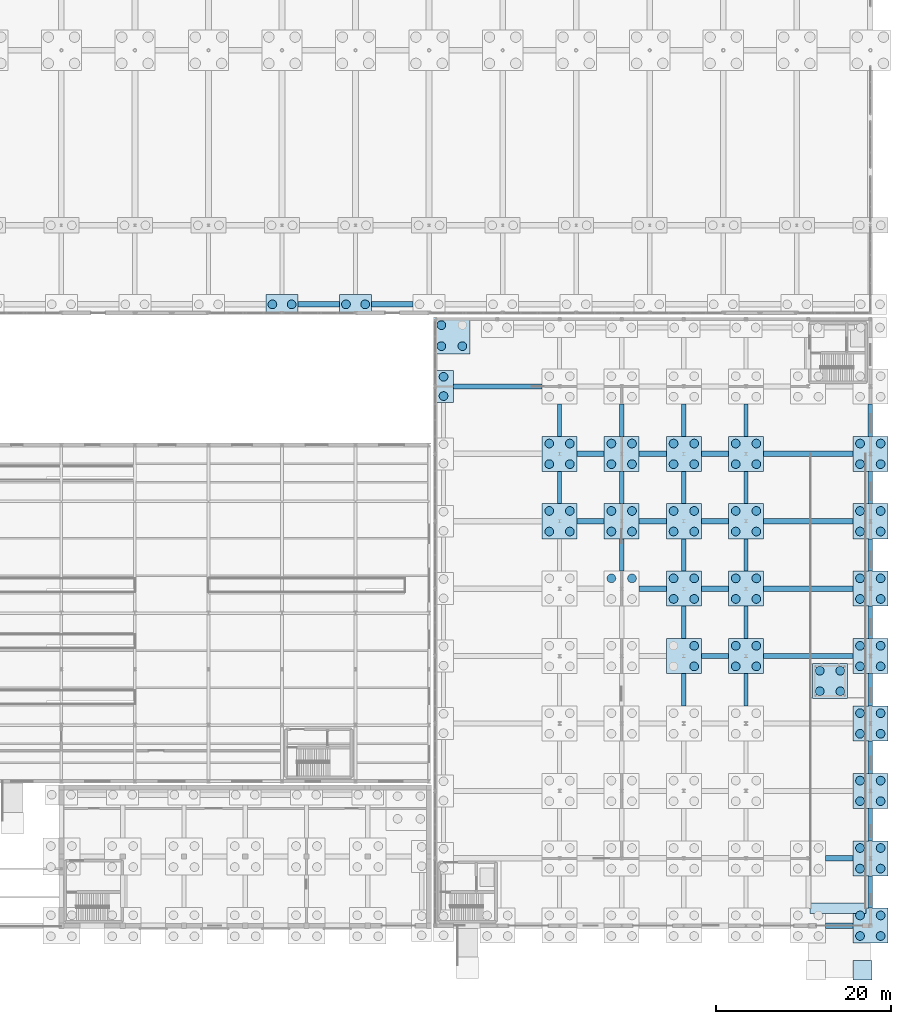
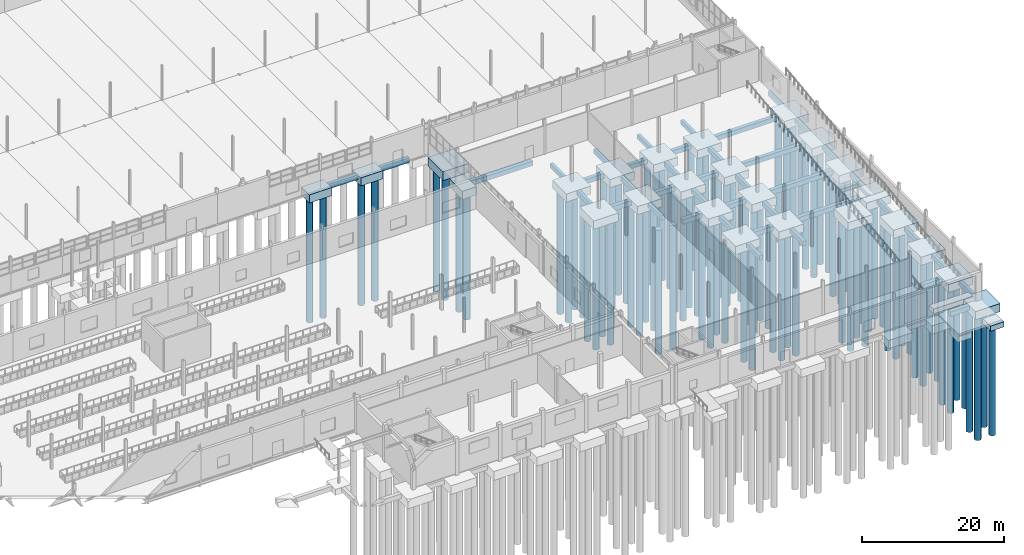
# One storey, part 8 of 139: 93 piles, 68 footings.
"""IFC4 building model written with IfcOpenShell, lengths in metres."""

from ifc_helpers import new_model, si_unit, direction, frame, origin, origin_2d, place, context, subcontext, project, spatial, polyline, rectangle, circle, outline, extrude, material, material_profile, profile_set, type_object, element, save


model = new_model("IFC4")

# Units and contexts
model_context = context("Model", 3, precision=1e-05, world=origin(), true_north=direction((0.0, 1.0)))
body_context = subcontext(model_context, "Body", "Model", "MODEL_VIEW")
ifc_project = project(units=[si_unit("LENGTHUNIT", "METRE"), si_unit("AREAUNIT", "SQUARE_METRE"), si_unit("VOLUMEUNIT", "CUBIC_METRE"), si_unit("PLANEANGLEUNIT", "RADIAN"), si_unit("MASSUNIT", "GRAM", prefix="KILO")], contexts=[model_context])

# Site, building, storey
site_placement = place(None, origin())
site = spatial("IfcSite", under=ifc_project, at=site_placement, CompositionType="ELEMENT")
building_placement = place(site_placement, origin())
building = spatial("IfcBuilding", under=site, at=building_placement, Name="Kazenagashi Tramway Depot", CompositionType="ELEMENT")
storey_placement = place(building_placement, origin())
storey = spatial("IfcBuildingStorey", under=building, at=storey_placement, Name="L01", CompositionType="ELEMENT", Elevation=0.0)

# Piles
ifc_material = material(Name="Concrete Fc30", Category="concrete")
ifc_material_profile = material_profile(ifc_material, circle(Radius=0.5, at=origin_2d()), Name="PILE-1000")
ifc_profile_set = profile_set([ifc_material_profile], Name="Concrete Fc30")
pile_type = type_object("IfcPileType", Name="BP-01", PredefinedType="BORED", material=ifc_profile_set)
for number, where, z_axis, x_axis, name in (
    (1, (127.7, 70.975, -1.65), (0.0, 0.0, -1.0), (1.0, 0.0, 0.0), "Bored Pile BP-01 PILE-0081"),
    (2, (129.9, 70.975, -1.65), (0.0, 0.0, -1.0), (1.0, 0.0, 0.0), "Bored Pile BP-01 PILE-0082"),
    (3, (136.1, 70.975, -1.65), (0.0, 0.0, -1.0), (1.0, 0.0, 0.0), "Bored Pile BP-01 PILE-0089"),
    (4, (138.3, 70.975, -1.65), (0.0, 0.0, -1.0), (1.0, 0.0, 0.0), "Bored Pile BP-01 PILE-0090"),
    (5, (147.25, 60.5, -1.65), (0.0, 0.0, -1.0), (1.0, 0.0, 0.0), "Bored Pile BP-01 PILE-0495"),
    (6, (147.25, 62.7, -1.65), (0.0, 0.0, -1.0), (1.0, 0.0, 0.0), "Bored Pile BP-01 PILE-0496"),
):
    element("IfcPile", number, at=place(storey_placement, frame(where, z_axis=z_axis, x_axis=x_axis)), inside=storey, type_object=pile_type, Name=name, PredefinedType="BORED", context=body_context, shape_type="SweptSolid", body=[
        extrude(circle(Radius=0.5, at=origin_2d()), origin(), (0.0, 0.0, 1.0), 21.35),
    ])
for number, where, z_axis, x_axis, name in (
    (7, (147.0, 66.2, -1.75), (0.0, 0.0, -1.0), (1.0, 0.0, 0.0), "Bored Pile BP-01 PILE-0497"),
    (8, (149.4, 66.2, -1.75), (0.0, 0.0, -1.0), (1.0, 0.0, 0.0), "Bored Pile BP-01 PILE-0498"),
    (9, (147.0, 68.6, -1.75), (0.0, 0.0, -1.0), (1.0, 0.0, 0.0), "Bored Pile BP-01 PILE-0499"),
):
    element("IfcPile", number, at=place(storey_placement, frame(where, z_axis=z_axis, x_axis=x_axis)), inside=storey, type_object=pile_type, Name=name, PredefinedType="BORED", context=body_context, shape_type="SweptSolid", body=[
        extrude(circle(Radius=0.5, at=origin_2d()), origin(), (0.0, 0.0, 1.0), 21.25),
    ])
for number, where, z_axis, x_axis, name in (
    (10, (159.325, 45.025, -1.65), (0.0, 0.0, -1.0), (1.0, 0.0, 0.0), "Bored Pile BP-01 PILE-0531"),
    (11, (161.675, 45.025, -1.65), (0.0, 0.0, -1.0), (1.0, 0.0, 0.0), "Bored Pile BP-01 PILE-0532"),
    (12, (159.325, 47.375, -1.65), (0.0, 0.0, -1.0), (1.0, 0.0, 0.0), "Bored Pile BP-01 PILE-0533"),
    (13, (161.675, 47.375, -1.65), (0.0, 0.0, -1.0), (1.0, 0.0, 0.0), "Bored Pile BP-01 PILE-0534"),
    (14, (159.325, 52.725, -1.65), (0.0, 0.0, -1.0), (1.0, 0.0, 0.0), "Bored Pile BP-01 PILE-0535"),
    (15, (161.675, 52.725, -1.65), (0.0, 0.0, -1.0), (1.0, 0.0, 0.0), "Bored Pile BP-01 PILE-0536"),
    (16, (159.325, 55.075, -1.65), (0.0, 0.0, -1.0), (1.0, 0.0, 0.0), "Bored Pile BP-01 PILE-0537"),
    (17, (161.675, 55.075, -1.65), (0.0, 0.0, -1.0), (1.0, 0.0, 0.0), "Bored Pile BP-01 PILE-0538"),
    (18, (166.425, 39.675, -1.65), (0.0, 0.0, -1.0), (1.0, 0.0, 0.0), "Bored Pile BP-01 PILE-0567"),
    (19, (168.775, 39.675, -1.65), (0.0, 0.0, -1.0), (1.0, 0.0, 0.0), "Bored Pile BP-01 PILE-0568"),
    (20, (166.425, 45.025, -1.65), (0.0, 0.0, -1.0), (1.0, 0.0, 0.0), "Bored Pile BP-01 PILE-0569"),
    (21, (168.775, 45.025, -1.65), (0.0, 0.0, -1.0), (1.0, 0.0, 0.0), "Bored Pile BP-01 PILE-0570"),
    (22, (166.425, 47.375, -1.65), (0.0, 0.0, -1.0), (1.0, 0.0, 0.0), "Bored Pile BP-01 PILE-0571"),
    (23, (168.775, 47.375, -1.65), (0.0, 0.0, -1.0), (1.0, 0.0, 0.0), "Bored Pile BP-01 PILE-0572"),
    (24, (166.425, 52.725, -1.65), (0.0, 0.0, -1.0), (1.0, 0.0, 0.0), "Bored Pile BP-01 PILE-0573"),
    (25, (168.775, 52.725, -1.65), (0.0, 0.0, -1.0), (1.0, 0.0, 0.0), "Bored Pile BP-01 PILE-0574"),
    (26, (166.425, 55.075, -1.65), (0.0, 0.0, -1.0), (1.0, 0.0, 0.0), "Bored Pile BP-01 PILE-0575"),
    (27, (168.775, 55.075, -1.65), (0.0, 0.0, -1.0), (1.0, 0.0, 0.0), "Bored Pile BP-01 PILE-0576"),
    (28, (175.875, 29.625, -1.65), (0.0, 0.0, -1.0), (1.0, 0.0, 0.0), "Bored Pile BP-01 PILE-0600"),
    (29, (175.875, 31.975, -1.65), (0.0, 0.0, -1.0), (1.0, 0.0, 0.0), "Bored Pile BP-01 PILE-0602"),
    (30, (173.525, 37.325, -1.65), (0.0, 0.0, -1.0), (1.0, 0.0, 0.0), "Bored Pile BP-01 PILE-0603"),
    (31, (175.875, 37.325, -1.65), (0.0, 0.0, -1.0), (1.0, 0.0, 0.0), "Bored Pile BP-01 PILE-0604"),
    (32, (173.525, 39.675, -1.65), (0.0, 0.0, -1.0), (1.0, 0.0, 0.0), "Bored Pile BP-01 PILE-0605"),
    (33, (175.875, 39.675, -1.65), (0.0, 0.0, -1.0), (1.0, 0.0, 0.0), "Bored Pile BP-01 PILE-0606"),
    (34, (173.525, 45.025, -1.65), (0.0, 0.0, -1.0), (1.0, 0.0, 0.0), "Bored Pile BP-01 PILE-0607"),
    (35, (175.875, 45.025, -1.65), (0.0, 0.0, -1.0), (1.0, 0.0, 0.0), "Bored Pile BP-01 PILE-0608"),
    (36, (173.525, 47.375, -1.65), (0.0, 0.0, -1.0), (1.0, 0.0, 0.0), "Bored Pile BP-01 PILE-0609"),
    (37, (175.875, 47.375, -1.65), (0.0, 0.0, -1.0), (1.0, 0.0, 0.0), "Bored Pile BP-01 PILE-0610"),
    (38, (173.525, 52.725, -1.65), (0.0, 0.0, -1.0), (1.0, 0.0, 0.0), "Bored Pile BP-01 PILE-0611"),
    (39, (175.875, 52.725, -1.65), (0.0, 0.0, -1.0), (1.0, 0.0, 0.0), "Bored Pile BP-01 PILE-0612"),
    (40, (173.525, 55.075, -1.65), (0.0, 0.0, -1.0), (1.0, 0.0, 0.0), "Bored Pile BP-01 PILE-0613"),
    (41, (175.875, 55.075, -1.65), (0.0, 0.0, -1.0), (1.0, 0.0, 0.0), "Bored Pile BP-01 PILE-0614"),
    (42, (180.625, 29.625, -1.65), (0.0, 0.0, -1.0), (1.0, 0.0, 0.0), "Bored Pile BP-01 PILE-0637"),
    (43, (182.975, 29.625, -1.65), (0.0, 0.0, -1.0), (1.0, 0.0, 0.0), "Bored Pile BP-01 PILE-0638"),
    (44, (180.625, 31.975, -1.65), (0.0, 0.0, -1.0), (1.0, 0.0, 0.0), "Bored Pile BP-01 PILE-0639"),
    (45, (182.975, 31.975, -1.65), (0.0, 0.0, -1.0), (1.0, 0.0, 0.0), "Bored Pile BP-01 PILE-0640"),
    (46, (180.625, 37.325, -1.65), (0.0, 0.0, -1.0), (1.0, 0.0, 0.0), "Bored Pile BP-01 PILE-0641"),
    (47, (182.975, 37.325, -1.65), (0.0, 0.0, -1.0), (1.0, 0.0, 0.0), "Bored Pile BP-01 PILE-0642"),
    (48, (180.625, 39.675, -1.65), (0.0, 0.0, -1.0), (1.0, 0.0, 0.0), "Bored Pile BP-01 PILE-0643"),
    (49, (182.975, 39.675, -1.65), (0.0, 0.0, -1.0), (1.0, 0.0, 0.0), "Bored Pile BP-01 PILE-0644"),
    (50, (180.625, 45.025, -1.65), (0.0, 0.0, -1.0), (1.0, 0.0, 0.0), "Bored Pile BP-01 PILE-0645"),
    (51, (182.975, 45.025, -1.65), (0.0, 0.0, -1.0), (1.0, 0.0, 0.0), "Bored Pile BP-01 PILE-0646"),
    (52, (180.625, 47.375, -1.65), (0.0, 0.0, -1.0), (1.0, 0.0, 0.0), "Bored Pile BP-01 PILE-0647"),
    (53, (182.975, 47.375, -1.65), (0.0, 0.0, -1.0), (1.0, 0.0, 0.0), "Bored Pile BP-01 PILE-0648"),
    (54, (180.625, 52.725, -1.65), (0.0, 0.0, -1.0), (1.0, 0.0, 0.0), "Bored Pile BP-01 PILE-0649"),
    (55, (182.975, 52.725, -1.65), (0.0, 0.0, -1.0), (1.0, 0.0, 0.0), "Bored Pile BP-01 PILE-0650"),
    (56, (180.625, 55.075, -1.65), (0.0, 0.0, -1.0), (1.0, 0.0, 0.0), "Bored Pile BP-01 PILE-0651"),
    (57, (182.975, 55.075, -1.65), (0.0, 0.0, -1.0), (1.0, 0.0, 0.0), "Bored Pile BP-01 PILE-0652"),
    (58, (194.825, -1.175, -1.65), (0.0, 0.0, -1.0), (1.0, 0.0, 0.0), "Bored Pile BP-01 PILE-0673"),
    (59, (197.175, -1.175, -1.65), (0.0, 0.0, -1.0), (1.0, 0.0, 0.0), "Bored Pile BP-01 PILE-0674"),
    (60, (194.825, 1.175, -1.65), (0.0, 0.0, -1.0), (1.0, 0.0, 0.0), "Bored Pile BP-01 PILE-0675"),
    (61, (197.175, 1.175, -1.65), (0.0, 0.0, -1.0), (1.0, 0.0, 0.0), "Bored Pile BP-01 PILE-0676"),
    (62, (194.825, 6.525, -1.65), (0.0, 0.0, -1.0), (1.0, 0.0, 0.0), "Bored Pile BP-01 PILE-0677"),
    (63, (197.175, 6.525, -1.65), (0.0, 0.0, -1.0), (1.0, 0.0, 0.0), "Bored Pile BP-01 PILE-0678"),
    (64, (194.825, 8.875, -1.65), (0.0, 0.0, -1.0), (1.0, 0.0, 0.0), "Bored Pile BP-01 PILE-0679"),
    (65, (197.175, 8.875, -1.65), (0.0, 0.0, -1.0), (1.0, 0.0, 0.0), "Bored Pile BP-01 PILE-0680"),
    (66, (194.825, 14.225, -1.65), (0.0, 0.0, -1.0), (1.0, 0.0, 0.0), "Bored Pile BP-01 PILE-0681"),
    (67, (197.175, 14.225, -1.65), (0.0, 0.0, -1.0), (1.0, 0.0, 0.0), "Bored Pile BP-01 PILE-0682"),
    (68, (194.825, 16.575, -1.65), (0.0, 0.0, -1.0), (1.0, 0.0, 0.0), "Bored Pile BP-01 PILE-0683"),
    (69, (197.175, 16.575, -1.65), (0.0, 0.0, -1.0), (1.0, 0.0, 0.0), "Bored Pile BP-01 PILE-0684"),
    (70, (194.825, 21.925, -1.65), (0.0, 0.0, -1.0), (1.0, 0.0, 0.0), "Bored Pile BP-01 PILE-0685"),
    (71, (197.175, 21.925, -1.65), (0.0, 0.0, -1.0), (1.0, 0.0, 0.0), "Bored Pile BP-01 PILE-0686"),
    (72, (194.825, 24.275, -1.65), (0.0, 0.0, -1.0), (1.0, 0.0, 0.0), "Bored Pile BP-01 PILE-0687"),
    (73, (197.175, 24.275, -1.65), (0.0, 0.0, -1.0), (1.0, 0.0, 0.0), "Bored Pile BP-01 PILE-0688"),
    (74, (194.825, 29.625, -1.65), (0.0, 0.0, -1.0), (1.0, 0.0, 0.0), "Bored Pile BP-01 PILE-0689"),
    (75, (197.175, 29.625, -1.65), (0.0, 0.0, -1.0), (1.0, 0.0, 0.0), "Bored Pile BP-01 PILE-0690"),
    (76, (194.825, 31.975, -1.65), (0.0, 0.0, -1.0), (1.0, 0.0, 0.0), "Bored Pile BP-01 PILE-0691"),
    (77, (197.175, 31.975, -1.65), (0.0, 0.0, -1.0), (1.0, 0.0, 0.0), "Bored Pile BP-01 PILE-0692"),
    (78, (194.825, 37.325, -1.65), (0.0, 0.0, -1.0), (1.0, 0.0, 0.0), "Bored Pile BP-01 PILE-0693"),
    (79, (197.175, 37.325, -1.65), (0.0, 0.0, -1.0), (1.0, 0.0, 0.0), "Bored Pile BP-01 PILE-0694"),
    (80, (194.825, 39.675, -1.65), (0.0, 0.0, -1.0), (1.0, 0.0, 0.0), "Bored Pile BP-01 PILE-0695"),
    (81, (197.175, 39.675, -1.65), (0.0, 0.0, -1.0), (1.0, 0.0, 0.0), "Bored Pile BP-01 PILE-0696"),
    (82, (194.825, 45.025, -1.65), (0.0, 0.0, -1.0), (1.0, 0.0, 0.0), "Bored Pile BP-01 PILE-0697"),
    (83, (197.175, 45.025, -1.65), (0.0, 0.0, -1.0), (1.0, 0.0, 0.0), "Bored Pile BP-01 PILE-0698"),
    (84, (194.825, 47.375, -1.65), (0.0, 0.0, -1.0), (1.0, 0.0, 0.0), "Bored Pile BP-01 PILE-0699"),
    (85, (197.175, 47.375, -1.65), (0.0, 0.0, -1.0), (1.0, 0.0, 0.0), "Bored Pile BP-01 PILE-0700"),
    (86, (194.825, 52.725, -1.65), (0.0, 0.0, -1.0), (1.0, 0.0, 0.0), "Bored Pile BP-01 PILE-0701"),
    (87, (197.175, 52.725, -1.65), (0.0, 0.0, -1.0), (1.0, 0.0, 0.0), "Bored Pile BP-01 PILE-0702"),
    (88, (194.825, 55.075, -1.65), (0.0, 0.0, -1.0), (1.0, 0.0, 0.0), "Bored Pile BP-01 PILE-0703"),
    (89, (197.175, 55.075, -1.65), (0.0, 0.0, -1.0), (1.0, 0.0, 0.0), "Bored Pile BP-01 PILE-0704"),
    (90, (190.225, 26.775, -1.65), (0.0, 0.0, -1.0), (1.0, 0.0, 0.0), "Bored Pile BP-01 PILE-1051"),
    (91, (192.575, 26.775, -1.65), (0.0, 0.0, -1.0), (1.0, 0.0, 0.0), "Bored Pile BP-01 PILE-1052"),
    (92, (190.225, 29.125, -1.65), (0.0, 0.0, -1.0), (1.0, 0.0, 0.0), "Bored Pile BP-01 PILE-1053"),
    (93, (192.575, 29.125, -1.65), (0.0, 0.0, -1.0), (1.0, 0.0, 0.0), "Bored Pile BP-01 PILE-1054"),
):
    element("IfcPile", number, at=place(storey_placement, frame(where, z_axis=z_axis, x_axis=x_axis)), inside=storey, type_object=pile_type, Name=name, PredefinedType="BORED", context=body_context, shape_type="SweptSolid", body=[
        extrude(circle(Radius=0.5, at=origin_2d()), origin(), (0.0, 0.0, 1.0), 21.35),
    ])

# Footings
footing_type_1 = type_object("IfcFootingType", Name="FB-01", PredefinedType="FOOTING_BEAM", material=ifc_material)
footing_1_placement = place(storey_placement, frame((0.0, 0.0, -1.15)))
element("IfcFooting", 94, at=footing_1_placement, inside=storey, type_object=footing_type_1, Name="Footing Tie Beam FB-0026", PredefinedType="FOOTING_BEAM", context=body_context, shape_type="SweptSolid", body=[
    extrude(outline(polyline([(190.9, -0.3), (194.0, -0.3), (194.0, 0.3), (190.9, 0.3), (190.9, -0.3)])), origin(), (0.0, 0.0, 1.0), 0.8),
])
footing_2_placement = place(storey_placement, frame((0.0, 0.0, -1.15)))
element("IfcFooting", 95, at=footing_2_placement, inside=storey, type_object=footing_type_1, Name="Footing Tie Beam FB-0042", PredefinedType="FOOTING_BEAM", context=body_context, shape_type="SweptSolid", body=[
    extrude(outline(polyline([(190.9, 7.4), (194.0, 7.4), (194.0, 8.0), (190.9, 8.0), (190.9, 7.4)])), origin(), (0.0, 0.0, 1.0), 0.8),
])
footing_3_placement = place(storey_placement, frame((0.0, 0.0, -1.15)))
element("IfcFooting", 96, at=footing_3_placement, inside=storey, type_object=footing_type_1, Name="Footing Tie Beam FB-0081", PredefinedType="FOOTING_BEAM", context=body_context, shape_type="SweptSolid", body=[
    extrude(outline(polyline([(176.7, 30.5), (179.8, 30.5), (179.8, 31.1), (176.7, 31.1), (176.7, 30.5)])), origin(), (0.0, 0.0, 1.0), 0.8),
])
footing_4_placement = place(storey_placement, frame((0.0, 0.0, -1.15)))
element("IfcFooting", 97, at=footing_4_placement, inside=storey, type_object=footing_type_1, Name="Footing Tie Beam FB-0082", PredefinedType="FOOTING_BEAM", context=body_context, shape_type="SweptSolid", body=[
    extrude(outline(polyline([(183.8, 30.5), (194.0, 30.5), (194.0, 31.1), (183.8, 31.1), (183.8, 30.5)])), origin(), (0.0, 0.0, 1.0), 0.8),
])
footing_5_placement = place(storey_placement, frame((0.0, 0.0, -1.15)))
element("IfcFooting", 98, at=footing_5_placement, inside=storey, type_object=footing_type_1, Name="Footing Tie Beam FB-0091", PredefinedType="FOOTING_BEAM", context=body_context, shape_type="SweptSolid", body=[
    extrude(outline(polyline([(169.6, 38.2), (172.7, 38.2), (172.7, 38.8), (169.6, 38.8), (169.6, 38.2)])), origin(), (0.0, 0.0, 1.0), 0.8),
])
footing_6_placement = place(storey_placement, frame((0.0, 0.0, -1.15)))
element("IfcFooting", 99, at=footing_6_placement, inside=storey, type_object=footing_type_1, Name="Footing Tie Beam FB-0092", PredefinedType="FOOTING_BEAM", context=body_context, shape_type="SweptSolid", body=[
    extrude(outline(polyline([(176.7, 38.2), (179.8, 38.2), (179.8, 38.8), (176.7, 38.8), (176.7, 38.2)])), origin(), (0.0, 0.0, 1.0), 0.8),
])
footing_7_placement = place(storey_placement, frame((0.0, 0.0, -1.15)))
element("IfcFooting", 100, at=footing_7_placement, inside=storey, type_object=footing_type_1, Name="Footing Tie Beam FB-0093", PredefinedType="FOOTING_BEAM", context=body_context, shape_type="SweptSolid", body=[
    extrude(outline(polyline([(183.8, 38.2), (194.0, 38.2), (194.0, 38.8), (183.8, 38.8), (183.8, 38.2)])), origin(), (0.0, 0.0, 1.0), 0.8),
])
footing_8_placement = place(storey_placement, frame((0.0, 0.0, -1.15)))
element("IfcFooting", 101, at=footing_8_placement, inside=storey, type_object=footing_type_1, Name="Footing Tie Beam FB-0101", PredefinedType="FOOTING_BEAM", context=body_context, shape_type="SweptSolid", body=[
    extrude(outline(polyline([(162.5, 45.9), (165.6, 45.9), (165.6, 46.5), (162.5, 46.5), (162.5, 45.9)])), origin(), (0.0, 0.0, 1.0), 0.8),
])
footing_9_placement = place(storey_placement, frame((0.0, 0.0, -1.15)))
element("IfcFooting", 102, at=footing_9_placement, inside=storey, type_object=footing_type_1, Name="Footing Tie Beam FB-0102", PredefinedType="FOOTING_BEAM", context=body_context, shape_type="SweptSolid", body=[
    extrude(outline(polyline([(169.6, 45.9), (172.7, 45.9), (172.7, 46.5), (169.6, 46.5), (169.6, 45.9)])), origin(), (0.0, 0.0, 1.0), 0.8),
])
footing_10_placement = place(storey_placement, frame((0.0, 0.0, -1.15)))
element("IfcFooting", 103, at=footing_10_placement, inside=storey, type_object=footing_type_1, Name="Footing Tie Beam FB-0103", PredefinedType="FOOTING_BEAM", context=body_context, shape_type="SweptSolid", body=[
    extrude(outline(polyline([(176.7, 45.9), (179.8, 45.9), (179.8, 46.5), (176.7, 46.5), (176.7, 45.9)])), origin(), (0.0, 0.0, 1.0), 0.8),
])
footing_11_placement = place(storey_placement, frame((0.0, 0.0, -1.15)))
element("IfcFooting", 104, at=footing_11_placement, inside=storey, type_object=footing_type_1, Name="Footing Tie Beam FB-0104", PredefinedType="FOOTING_BEAM", context=body_context, shape_type="SweptSolid", body=[
    extrude(outline(polyline([(183.8, 45.9), (194.0, 45.9), (194.0, 46.5), (183.8, 46.5), (183.8, 45.9)])), origin(), (0.0, 0.0, 1.0), 0.8),
])
footing_12_placement = place(storey_placement, frame((0.0, 0.0, -1.15)))
element("IfcFooting", 105, at=footing_12_placement, inside=storey, type_object=footing_type_1, Name="Footing Tie Beam FB-0112", PredefinedType="FOOTING_BEAM", context=body_context, shape_type="SweptSolid", body=[
    extrude(outline(polyline([(162.5, 53.6), (165.6, 53.6), (165.6, 54.2), (162.5, 54.2), (162.5, 53.6)])), origin(), (0.0, 0.0, 1.0), 0.8),
])
footing_13_placement = place(storey_placement, frame((0.0, 0.0, -1.15)))
element("IfcFooting", 106, at=footing_13_placement, inside=storey, type_object=footing_type_1, Name="Footing Tie Beam FB-0113", PredefinedType="FOOTING_BEAM", context=body_context, shape_type="SweptSolid", body=[
    extrude(outline(polyline([(169.6, 53.6), (172.7, 53.6), (172.7, 54.2), (169.6, 54.2), (169.6, 53.6)])), origin(), (0.0, 0.0, 1.0), 0.8),
])
footing_14_placement = place(storey_placement, frame((0.0, 0.0, -1.15)))
element("IfcFooting", 107, at=footing_14_placement, inside=storey, type_object=footing_type_1, Name="Footing Tie Beam FB-0114", PredefinedType="FOOTING_BEAM", context=body_context, shape_type="SweptSolid", body=[
    extrude(outline(polyline([(176.7, 53.6), (179.8, 53.6), (179.8, 54.2), (176.7, 54.2), (176.7, 53.6)])), origin(), (0.0, 0.0, 1.0), 0.8),
])
footing_15_placement = place(storey_placement, frame((0.0, 0.0, -1.15)))
element("IfcFooting", 108, at=footing_15_placement, inside=storey, type_object=footing_type_1, Name="Footing Tie Beam FB-0115", PredefinedType="FOOTING_BEAM", context=body_context, shape_type="SweptSolid", body=[
    extrude(outline(polyline([(183.8, 53.6), (194.0, 53.6), (194.0, 54.2), (183.8, 54.2), (183.8, 53.6)])), origin(), (0.0, 0.0, 1.0), 0.8),
])
footing_16_placement = place(storey_placement, frame((0.0, 0.0, -1.15)))
element("IfcFooting", 109, at=footing_16_placement, inside=storey, type_object=footing_type_1, Name="Footing Tie Beam FB-0123", PredefinedType="FOOTING_BEAM", context=body_context, shape_type="SweptSolid", body=[
    extrude(outline(polyline([(148.4, 61.3), (158.5, 61.3), (158.5, 61.9), (148.4, 61.9), (148.4, 61.3)])), origin(), (0.0, 0.0, 1.0), 0.8),
])
footing_17_placement = place(storey_placement, frame((0.0, 0.0, -1.15)))
element("IfcFooting", 110, at=footing_17_placement, inside=storey, type_object=footing_type_1, Name="Footing Tie Beam FB-0153", PredefinedType="FOOTING_BEAM", context=body_context, shape_type="SweptSolid", body=[
    extrude(outline(polyline([(130.62, 70.675), (135.38, 70.675), (135.38, 71.275), (130.62, 71.275), (130.62, 70.675)])), origin(), (0.0, 0.0, 1.0), 0.8),
])
footing_18_placement = place(storey_placement, frame((0.0, 0.0, -1.15)))
element("IfcFooting", 111, at=footing_18_placement, inside=storey, type_object=footing_type_1, Name="Footing Tie Beam FB-0154", PredefinedType="FOOTING_BEAM", context=body_context, shape_type="SweptSolid", body=[
    extrude(outline(polyline([(139.02, 70.675), (143.78, 70.675), (143.78, 71.275), (139.02, 71.275), (139.02, 70.675)])), origin(), (0.0, 0.0, 1.0), 0.8),
])
footing_type_2 = type_object("IfcFootingType", Name="FB-03", PredefinedType="FOOTING_BEAM", material=ifc_material)
footing_19_placement = place(storey_placement, frame((0.0, 0.0, -1.1)))
element("IfcFooting", 112, at=footing_19_placement, inside=storey, type_object=footing_type_2, Name="Footing Tie Beam FB-0370", PredefinedType="FOOTING_BEAM", context=body_context, shape_type="SweptSolid", body=[
    extrude(outline(polyline([(160.25, 48.2), (160.75, 48.2), (160.75, 51.9), (160.25, 51.9), (160.25, 48.2)])), origin(), (0.0, 0.0, 1.0), 0.75),
])
footing_20_placement = place(storey_placement, frame((0.0, 0.0, -1.1)))
element("IfcFooting", 113, at=footing_20_placement, inside=storey, type_object=footing_type_2, Name="Footing Tie Beam FB-0371", PredefinedType="FOOTING_BEAM", context=body_context, shape_type="SweptSolid", body=[
    extrude(outline(polyline([(160.25, 55.9), (160.75, 55.9), (160.75, 59.6), (160.25, 59.6), (160.25, 55.9)])), origin(), (0.0, 0.0, 1.0), 0.75),
])
footing_21_placement = place(storey_placement, frame((0.0, 0.0, -1.1)))
element("IfcFooting", 114, at=footing_21_placement, inside=storey, type_object=footing_type_2, Name="Footing Tie Beam FB-0381", PredefinedType="FOOTING_BEAM", context=body_context, shape_type="SweptSolid", body=[
    extrude(outline(polyline([(167.35, 40.5), (167.85, 40.5), (167.85, 44.2), (167.35, 44.2), (167.35, 40.5)])), origin(), (0.0, 0.0, 1.0), 0.75),
])
footing_22_placement = place(storey_placement, frame((0.0, 0.0, -1.1)))
element("IfcFooting", 115, at=footing_22_placement, inside=storey, type_object=footing_type_2, Name="Footing Tie Beam FB-0382", PredefinedType="FOOTING_BEAM", context=body_context, shape_type="SweptSolid", body=[
    extrude(outline(polyline([(167.35, 48.2), (167.85, 48.2), (167.85, 51.9), (167.35, 51.9), (167.35, 48.2)])), origin(), (0.0, 0.0, 1.0), 0.75),
])
footing_23_placement = place(storey_placement, frame((0.0, 0.0, -1.1)))
element("IfcFooting", 116, at=footing_23_placement, inside=storey, type_object=footing_type_2, Name="Footing Tie Beam FB-0383", PredefinedType="FOOTING_BEAM", context=body_context, shape_type="SweptSolid", body=[
    extrude(outline(polyline([(167.35, 55.9), (167.85, 55.9), (167.85, 59.6), (167.35, 59.6), (167.35, 55.9)])), origin(), (0.0, 0.0, 1.0), 0.75),
])
footing_24_placement = place(storey_placement, frame((0.0, 0.0, -1.1)))
element("IfcFooting", 117, at=footing_24_placement, inside=storey, type_object=footing_type_2, Name="Footing Tie Beam FB-0391", PredefinedType="FOOTING_BEAM", context=body_context, shape_type="SweptSolid", body=[
    extrude(outline(polyline([(174.45, 25.1), (174.95, 25.1), (174.95, 28.8), (174.45, 28.8), (174.45, 25.1)])), origin(), (0.0, 0.0, 1.0), 0.75),
])
footing_25_placement = place(storey_placement, frame((0.0, 0.0, -1.1)))
element("IfcFooting", 118, at=footing_25_placement, inside=storey, type_object=footing_type_2, Name="Footing Tie Beam FB-0392", PredefinedType="FOOTING_BEAM", context=body_context, shape_type="SweptSolid", body=[
    extrude(outline(polyline([(174.45, 32.8), (174.95, 32.8), (174.95, 36.5), (174.45, 36.5), (174.45, 32.8)])), origin(), (0.0, 0.0, 1.0), 0.75),
])
footing_26_placement = place(storey_placement, frame((0.0, 0.0, -1.1)))
element("IfcFooting", 119, at=footing_26_placement, inside=storey, type_object=footing_type_2, Name="Footing Tie Beam FB-0393", PredefinedType="FOOTING_BEAM", context=body_context, shape_type="SweptSolid", body=[
    extrude(outline(polyline([(174.45, 40.5), (174.95, 40.5), (174.95, 44.2), (174.45, 44.2), (174.45, 40.5)])), origin(), (0.0, 0.0, 1.0), 0.75),
])
footing_27_placement = place(storey_placement, frame((0.0, 0.0, -1.1)))
element("IfcFooting", 120, at=footing_27_placement, inside=storey, type_object=footing_type_2, Name="Footing Tie Beam FB-0394", PredefinedType="FOOTING_BEAM", context=body_context, shape_type="SweptSolid", body=[
    extrude(outline(polyline([(174.45, 48.2), (174.95, 48.2), (174.95, 51.9), (174.45, 51.9), (174.45, 48.2)])), origin(), (0.0, 0.0, 1.0), 0.75),
])
footing_28_placement = place(storey_placement, frame((0.0, 0.0, -1.1)))
element("IfcFooting", 121, at=footing_28_placement, inside=storey, type_object=footing_type_2, Name="Footing Tie Beam FB-0395", PredefinedType="FOOTING_BEAM", context=body_context, shape_type="SweptSolid", body=[
    extrude(outline(polyline([(174.45, 55.9), (174.95, 55.9), (174.95, 59.6), (174.45, 59.6), (174.45, 55.9)])), origin(), (0.0, 0.0, 1.0), 0.75),
])
footing_29_placement = place(storey_placement, frame((0.0, 0.0, -1.1)))
element("IfcFooting", 122, at=footing_29_placement, inside=storey, type_object=footing_type_2, Name="Footing Tie Beam FB-0403", PredefinedType="FOOTING_BEAM", context=body_context, shape_type="SweptSolid", body=[
    extrude(outline(polyline([(181.55, 25.1), (182.05, 25.1), (182.05, 28.8), (181.55, 28.8), (181.55, 25.1)])), origin(), (0.0, 0.0, 1.0), 0.75),
])
footing_30_placement = place(storey_placement, frame((0.0, 0.0, -1.1)))
element("IfcFooting", 123, at=footing_30_placement, inside=storey, type_object=footing_type_2, Name="Footing Tie Beam FB-0404", PredefinedType="FOOTING_BEAM", context=body_context, shape_type="SweptSolid", body=[
    extrude(outline(polyline([(181.55, 32.8), (182.05, 32.8), (182.05, 36.5), (181.55, 36.5), (181.55, 32.8)])), origin(), (0.0, 0.0, 1.0), 0.75),
])
footing_31_placement = place(storey_placement, frame((0.0, 0.0, -1.1)))
element("IfcFooting", 124, at=footing_31_placement, inside=storey, type_object=footing_type_2, Name="Footing Tie Beam FB-0405", PredefinedType="FOOTING_BEAM", context=body_context, shape_type="SweptSolid", body=[
    extrude(outline(polyline([(181.55, 40.5), (182.05, 40.5), (182.05, 44.2), (181.55, 44.2), (181.55, 40.5)])), origin(), (0.0, 0.0, 1.0), 0.75),
])
footing_32_placement = place(storey_placement, frame((0.0, 0.0, -1.1)))
element("IfcFooting", 125, at=footing_32_placement, inside=storey, type_object=footing_type_2, Name="Footing Tie Beam FB-0406", PredefinedType="FOOTING_BEAM", context=body_context, shape_type="SweptSolid", body=[
    extrude(outline(polyline([(181.55, 48.2), (182.05, 48.2), (182.05, 51.9), (181.55, 51.9), (181.55, 48.2)])), origin(), (0.0, 0.0, 1.0), 0.75),
])
footing_33_placement = place(storey_placement, frame((0.0, 0.0, -1.1)))
element("IfcFooting", 126, at=footing_33_placement, inside=storey, type_object=footing_type_2, Name="Footing Tie Beam FB-0407", PredefinedType="FOOTING_BEAM", context=body_context, shape_type="SweptSolid", body=[
    extrude(outline(polyline([(181.55, 55.9), (182.05, 55.9), (182.05, 59.6), (181.55, 59.6), (181.55, 55.9)])), origin(), (0.0, 0.0, 1.0), 0.75),
])
footing_34_placement = place(storey_placement, frame((0.0, 0.0, -1.1)))
element("IfcFooting", 127, at=footing_34_placement, inside=storey, type_object=footing_type_2, Name="Footing Tie Beam FB-0414", PredefinedType="FOOTING_BEAM", context=body_context, shape_type="SweptSolid", body=[
    extrude(outline(polyline([(195.75, 2.0), (196.25, 2.0), (196.25, 5.7), (195.75, 5.7), (195.75, 2.0)])), origin(), (0.0, 0.0, 1.0), 0.75),
])
footing_35_placement = place(storey_placement, frame((0.0, 0.0, -1.1)))
element("IfcFooting", 128, at=footing_35_placement, inside=storey, type_object=footing_type_2, Name="Footing Tie Beam FB-0415", PredefinedType="FOOTING_BEAM", context=body_context, shape_type="SweptSolid", body=[
    extrude(outline(polyline([(195.75, 9.7), (196.25, 9.7), (196.25, 13.4), (195.75, 13.4), (195.75, 9.7)])), origin(), (0.0, 0.0, 1.0), 0.75),
])
footing_36_placement = place(storey_placement, frame((0.0, 0.0, -1.1)))
element("IfcFooting", 129, at=footing_36_placement, inside=storey, type_object=footing_type_2, Name="Footing Tie Beam FB-0416", PredefinedType="FOOTING_BEAM", context=body_context, shape_type="SweptSolid", body=[
    extrude(outline(polyline([(195.75, 17.4), (196.25, 17.4), (196.25, 21.1), (195.75, 21.1), (195.75, 17.4)])), origin(), (0.0, 0.0, 1.0), 0.75),
])
footing_37_placement = place(storey_placement, frame((0.0, 0.0, -1.1)))
element("IfcFooting", 130, at=footing_37_placement, inside=storey, type_object=footing_type_2, Name="Footing Tie Beam FB-0417", PredefinedType="FOOTING_BEAM", context=body_context, shape_type="SweptSolid", body=[
    extrude(outline(polyline([(195.75, 25.1), (196.25, 25.1), (196.25, 28.8), (195.75, 28.8), (195.75, 25.1)])), origin(), (0.0, 0.0, 1.0), 0.75),
])
footing_38_placement = place(storey_placement, frame((0.0, 0.0, -1.1)))
element("IfcFooting", 131, at=footing_38_placement, inside=storey, type_object=footing_type_2, Name="Footing Tie Beam FB-0418", PredefinedType="FOOTING_BEAM", context=body_context, shape_type="SweptSolid", body=[
    extrude(outline(polyline([(195.75, 32.8), (196.25, 32.8), (196.25, 36.5), (195.75, 36.5), (195.75, 32.8)])), origin(), (0.0, 0.0, 1.0), 0.75),
])
footing_39_placement = place(storey_placement, frame((0.0, 0.0, -1.1)))
element("IfcFooting", 132, at=footing_39_placement, inside=storey, type_object=footing_type_2, Name="Footing Tie Beam FB-0419", PredefinedType="FOOTING_BEAM", context=body_context, shape_type="SweptSolid", body=[
    extrude(outline(polyline([(195.75, 40.5), (196.25, 40.5), (196.25, 44.2), (195.75, 44.2), (195.75, 40.5)])), origin(), (0.0, 0.0, 1.0), 0.75),
])
footing_40_placement = place(storey_placement, frame((0.0, 0.0, -1.1)))
element("IfcFooting", 133, at=footing_40_placement, inside=storey, type_object=footing_type_2, Name="Footing Tie Beam FB-0420", PredefinedType="FOOTING_BEAM", context=body_context, shape_type="SweptSolid", body=[
    extrude(outline(polyline([(195.75, 48.2), (196.25, 48.2), (196.25, 51.9), (195.75, 51.9), (195.75, 48.2)])), origin(), (0.0, 0.0, 1.0), 0.75),
])
footing_41_placement = place(storey_placement, frame((0.0, 0.0, -1.1)))
element("IfcFooting", 134, at=footing_41_placement, inside=storey, type_object=footing_type_2, Name="Footing Tie Beam FB-0421", PredefinedType="FOOTING_BEAM", context=body_context, shape_type="SweptSolid", body=[
    extrude(outline(polyline([(195.75, 55.9), (196.25, 55.9), (196.25, 59.6), (195.75, 59.6), (195.75, 55.9)])), origin(), (0.0, 0.0, 1.0), 0.75),
])
footing_type_3 = type_object("IfcFootingType", Name="PC-03", PredefinedType="PILE_CAP", material=ifc_material)
for number, where, z_axis, x_axis, name in (
    (135, (160.5, 46.2, -1.75), (0.0, 0.0, 1.0), (1.0, 0.0, 0.0), "Pile Cap PC-03 CAP-182"),
    (136, (160.5, 53.9, -1.75), (0.0, 0.0, 1.0), (1.0, 0.0, 0.0), "Pile Cap PC-03 CAP-183"),
    (137, (167.6, 46.2, -1.75), (0.0, 0.0, 1.0), (1.0, 0.0, 0.0), "Pile Cap PC-03 CAP-192"),
    (138, (167.6, 53.9, -1.75), (0.0, 0.0, 1.0), (1.0, 0.0, 0.0), "Pile Cap PC-03 CAP-193"),
    (139, (174.7, 30.8, -1.75), (0.0, 0.0, 1.0), (1.0, 0.0, 0.0), "Pile Cap PC-03 CAP-200"),
    (140, (174.7, 38.5, -1.75), (0.0, 0.0, 1.0), (1.0, 0.0, 0.0), "Pile Cap PC-03 CAP-201"),
    (141, (174.7, 46.2, -1.75), (0.0, 0.0, 1.0), (1.0, 0.0, 0.0), "Pile Cap PC-03 CAP-202"),
    (142, (174.7, 53.9, -1.75), (0.0, 0.0, 1.0), (1.0, 0.0, 0.0), "Pile Cap PC-03 CAP-203"),
    (143, (181.8, 30.8, -1.75), (0.0, 0.0, 1.0), (1.0, 0.0, 0.0), "Pile Cap PC-03 CAP-210"),
    (144, (181.8, 38.5, -1.75), (0.0, 0.0, 1.0), (1.0, 0.0, 0.0), "Pile Cap PC-03 CAP-211"),
    (145, (181.8, 46.2, -1.75), (0.0, 0.0, 1.0), (1.0, 0.0, 0.0), "Pile Cap PC-03 CAP-212"),
    (146, (181.8, 53.9, -1.75), (0.0, 0.0, 1.0), (1.0, 0.0, 0.0), "Pile Cap PC-03 CAP-213"),
    (147, (196.0, 0.0, -1.75), (0.0, 0.0, 1.0), (1.0, 0.0, 0.0), "Pile Cap PC-03 CAP-220"),
    (148, (196.0, 7.7, -1.75), (0.0, 0.0, 1.0), (1.0, 0.0, 0.0), "Pile Cap PC-03 CAP-221"),
    (149, (196.0, 15.4, -1.75), (0.0, 0.0, 1.0), (1.0, 0.0, 0.0), "Pile Cap PC-03 CAP-222"),
    (150, (196.0, 23.1, -1.75), (0.0, 0.0, 1.0), (1.0, 0.0, 0.0), "Pile Cap PC-03 CAP-223"),
    (151, (196.0, 30.8, -1.75), (0.0, 0.0, 1.0), (1.0, 0.0, 0.0), "Pile Cap PC-03 CAP-224"),
    (152, (196.0, 38.5, -1.75), (0.0, 0.0, 1.0), (1.0, 0.0, 0.0), "Pile Cap PC-03 CAP-225"),
    (153, (196.0, 46.2, -1.75), (0.0, 0.0, 1.0), (1.0, 0.0, 0.0), "Pile Cap PC-03 CAP-226"),
    (154, (196.0, 53.9, -1.75), (0.0, 0.0, 1.0), (1.0, 0.0, 0.0), "Pile Cap PC-03 CAP-227"),
    (155, (191.4, 27.95, -1.75), (0.0, 0.0, 1.0), (1.0, 0.0, 0.0), "Pile Cap PC-03 CAP-328"),
):
    element("IfcFooting", number, at=place(storey_placement, frame(where, z_axis=z_axis, x_axis=x_axis)), inside=storey, type_object=footing_type_3, Name=name, PredefinedType="PILE_CAP", context=body_context, shape_type="SweptSolid", body=[
        extrude(rectangle(XDim=4.0, YDim=4.0, at=origin_2d()), origin(), (0.0, 0.0, 1.0), 1.4),
    ])
footing_type_4 = type_object("IfcFootingType", Name="PC-08", PredefinedType="PILE_CAP", material=ifc_material)
footing_42_placement = place(storey_placement, frame((148.2, 67.4, -1.85), z_axis=(0.0, 0.0, 1.0), x_axis=(1.0, 0.0, 0.0)))
element("IfcFooting", 156, at=footing_42_placement, inside=storey, type_object=footing_type_4, Name="Pile Cap PC-08 CAP-173", PredefinedType="PILE_CAP", context=body_context, shape_type="SweptSolid", body=[
    extrude(rectangle(XDim=4.2, YDim=4.2, at=origin_2d()), origin(), (0.0, 0.0, 1.0), 1.5),
])
footing_type_5 = type_object("IfcFootingType", Name="PC-11", PredefinedType="PILE_CAP", material=ifc_material)
footing_43_placement = place(storey_placement, frame((147.25, 61.6, -1.75), z_axis=(0.0, 0.0, 1.0), x_axis=(1.0, 0.0, 0.0)))
element("IfcFooting", 157, at=footing_43_placement, inside=storey, type_object=footing_type_5, Name="Pile Cap PC-11 CAP-172", PredefinedType="PILE_CAP", context=body_context, shape_type="SweptSolid", body=[
    extrude(rectangle(XDim=2.3, YDim=3.64, at=origin_2d()), origin(), (0.0, 0.0, 1.0), 1.4),
])
footing_type_6 = type_object("IfcFootingType", Name="PC-12", PredefinedType="PILE_CAP", material=ifc_material)
for number, where, z_axis, x_axis, name in (
    (158, (128.8, 70.975, -1.75), (0.0, 0.0, 1.0), (1.0, 0.0, 0.0), "Pile Cap PC-12 CAP-031"),
    (159, (137.2, 70.975, -1.75), (0.0, 0.0, 1.0), (1.0, 0.0, 0.0), "Pile Cap PC-12 CAP-034"),
):
    element("IfcFooting", number, at=place(storey_placement, frame(where, z_axis=z_axis, x_axis=x_axis)), inside=storey, type_object=footing_type_6, Name=name, PredefinedType="PILE_CAP", context=body_context, shape_type="SweptSolid", body=[
        extrude(rectangle(XDim=3.64, YDim=2.3, at=origin_2d()), origin(), (0.0, 0.0, 1.0), 1.4),
    ])
footing_type_7 = type_object("IfcFootingType", Name="PF-01", PredefinedType="PAD_FOOTING", material=ifc_material)
footing_44_placement = place(storey_placement, frame((195.1, -5.1, -1.2), z_axis=(0.0, 0.0, 1.0), x_axis=(1.0, 0.0, 0.0)))
element("IfcFooting", 160, at=footing_44_placement, inside=storey, type_object=footing_type_7, Name="Bus Apron Pad Footing PAD-019", PredefinedType="PAD_FOOTING", context=body_context, shape_type="SweptSolid", body=[
    extrude(rectangle(XDim=2.2, YDim=2.2, at=origin_2d()), origin(), (0.0, 0.0, 1.0), 0.9),
])
footing_type_8 = type_object("IfcFootingType", Name="SF-01", PredefinedType="STRIP_FOOTING", material=ifc_material)
footing_45_placement = place(storey_placement, frame((0.0, 0.0, -1.075)))
element("IfcFooting", 161, at=footing_45_placement, inside=storey, type_object=footing_type_8, Name="Vehicle Ramp Toe Strip Footing SF-028", PredefinedType="STRIP_FOOTING", context=body_context, shape_type="SweptSolid", body=[
    extrude(outline(polyline([(189.1, 1.4), (195.5, 1.4), (195.5, 2.6), (189.1, 2.6), (189.1, 1.4)])), origin(), (0.0, 0.0, 1.0), 0.8),
])

save(model, "model.ifc")
